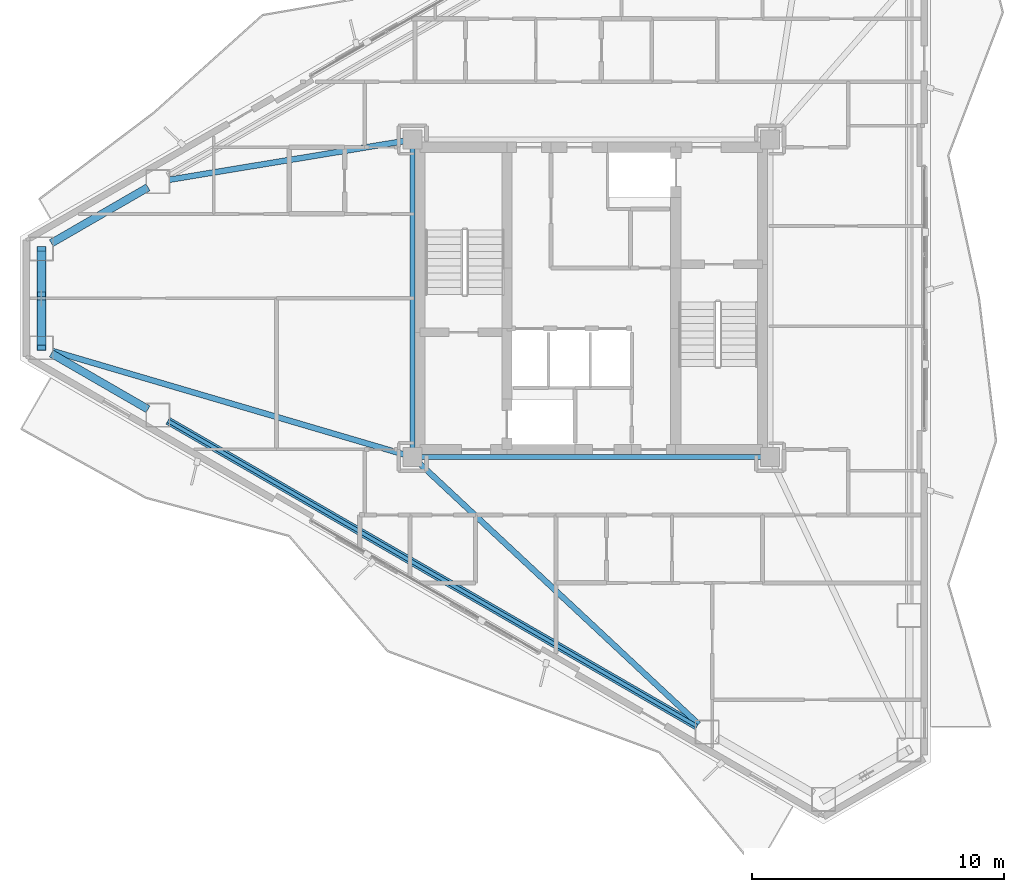
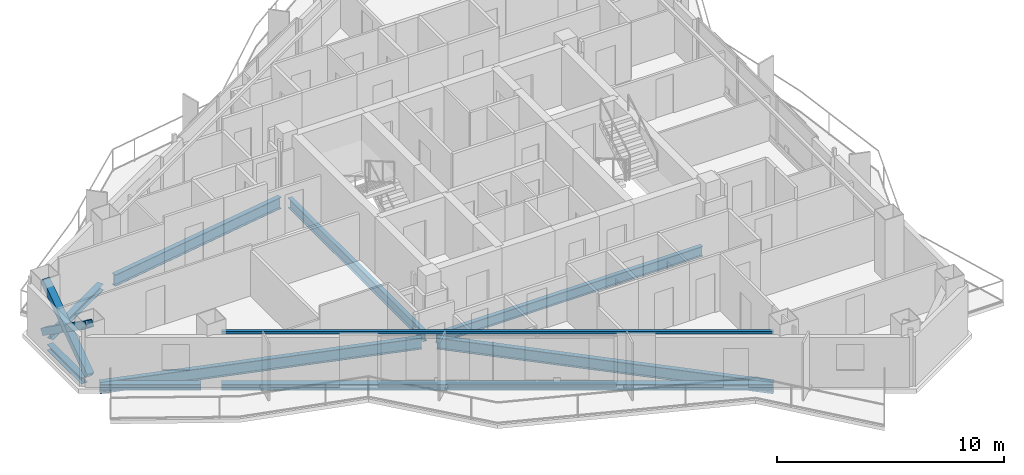
# One storey, part 4 of 18: 10 beams, 3 members.
"""IFC4 building model written with IfcOpenShell, lengths in metres."""

from ifc_helpers import new_model, si_unit, direction, frame, origin, origin_2d, place, context, subcontext, project, spatial, hollow_rectangle, i_section, extrude, material, material_profile, profile_set, type_object, element, save


model = new_model("IFC4")

# Units and contexts
model_context = context("Model", 3, precision=1e-05, world=origin(), true_north=direction((0.0, 1.0)))
body_context = subcontext(model_context, "Body", "Model", "MODEL_VIEW")
ifc_project = project(units=[si_unit("LENGTHUNIT", "METRE"), si_unit("AREAUNIT", "SQUARE_METRE"), si_unit("VOLUMEUNIT", "CUBIC_METRE"), si_unit("PLANEANGLEUNIT", "RADIAN"), si_unit("MASSUNIT", "GRAM", prefix="KILO")], contexts=[model_context])

# Site, building, storey
site_placement = place(None, origin())
site = spatial("IfcSite", under=ifc_project, at=site_placement, CompositionType="ELEMENT")
building_placement = place(site_placement, origin())
building = spatial("IfcBuilding", under=site, at=building_placement, Name="Mersakhor Tower and Convention Hall", CompositionType="ELEMENT")
storey_placement = place(building_placement, frame((0.0, 0.0, 134.39990234375)))
storey = spatial("IfcBuildingStorey", under=building, at=storey_placement, Name="L37", CompositionType="ELEMENT", Elevation=134.39990234375)

# Beams
ifc_material_1 = material(Name="Steel S355", Category="steel")
ifc_material_profile_1 = material_profile(ifc_material_1, i_section(OverallWidth=0.2099609375, OverallDepth=0.53662109375, WebThickness=0.0107421875, FlangeThickness=0.017333984375, at=origin_2d()), Name="UB 533x210x101")
ifc_profile_set_1 = profile_set([ifc_material_profile_1], Name="Steel S355")
beam_type_1 = type_object("IfcBeamType", Name="BM-FB-533", PredefinedType="BEAM", material=ifc_profile_set_1)
beam_1_placement = place(storey_placement, frame((21.89990234375, 20.804931640625, -0.50830078125), z_axis=(0.0, 1.0, 0.0), x_axis=(-1.0, 0.0, 0.0)))
element("IfcBeam", 1, at=beam_1_placement, inside=storey, type_object=beam_type_1, Name="L37 Core Ring Tie Beam CRB-1", PredefinedType="BEAM", context=body_context, shape_type="SweptSolid", body=[
    extrude(i_section(OverallWidth=0.2099609375, OverallDepth=0.53662109375, WebThickness=0.0107421875, FlangeThickness=0.017333984375, at=origin_2d()), origin(), (0.0, 0.0, 1.0), 11.89013671875),
])
beam_2_placement = place(storey_placement, frame((35.7451171875, 20.449951171875, -0.50830078125), z_axis=(-1.0, 0.0, 0.0), x_axis=(0.0, -1.0, 0.0)))
element("IfcBeam", 2, at=beam_2_placement, inside=storey, type_object=beam_type_1, Name="L37 Core Ring Tie Beam CRB-4", PredefinedType="BEAM", context=body_context, shape_type="SweptSolid", body=[
    extrude(i_section(OverallWidth=0.2099609375, OverallDepth=0.53662109375, WebThickness=0.0107421875, FlangeThickness=0.017333984375, at=origin_2d()), origin(), (0.0, 0.0, 1.0), 13.490234375),
])
ifc_material_2 = material(Name="Steel S355", Category="steel")
ifc_material_profile_2 = material_profile(ifc_material_2, hollow_rectangle(XDim=0.14990234375, YDim=0.14990234375, WallThickness=0.010009765625, at=origin_2d()), Name="SHS 150x150x10")
ifc_profile_set_2 = profile_set([ifc_material_profile_2], Name="Steel S355")
beam_type_2 = type_object("IfcBeamType", Name="BM-GRT-SHS150", PredefinedType="USERDEFINED", material=ifc_profile_set_2)
beam_3_placement = place(storey_placement, frame((33.198486328125, 9.754638671875, 2.47998046875), z_axis=(-0.866027433267, 0.499996484816, 0.0), x_axis=(-0.499996484816, -0.866027433267, 0.0)))
element("IfcBeam", 3, at=beam_3_placement, inside=storey, type_object=beam_type_2, Name="L37 Facade Support Girt GRT-F3", ObjectType="GIRT", PredefinedType="USERDEFINED", context=body_context, shape_type="SweptSolid", body=[
    extrude(hollow_rectangle(XDim=0.14990234375, YDim=0.14990234375, WallThickness=0.010009765625, at=origin_2d()), origin(), (0.0, 0.0, 1.0), 24.267333984375),
])
ifc_material_3 = material(Name="Steel S355", Category="steel")
ifc_material_profile_3 = material_profile(ifc_material_3, i_section(OverallWidth=0.22900390625, OverallDepth=0.6123046875, WebThickness=0.011962890625, FlangeThickness=0.01953125, at=origin_2d()), Name="UB 610x229x125")
ifc_profile_set_3 = profile_set([ifc_material_profile_3], Name="Steel S355")
beam_type_3 = type_object("IfcBeamType", Name="BM-PR-610", PredefinedType="BEAM", material=ifc_profile_set_3)
beam_4_placement = place(storey_placement, frame((21.5498046875, 32.9921875, -0.5458984375), z_axis=(-0.986703962282, -0.162527815515, 0.0), x_axis=(0.162527815515, -0.986703962282, 0.0)))
element("IfcBeam", 4, at=beam_4_placement, inside=storey, type_object=beam_type_3, Name="L37 Primary Floor Girder FG-1", PredefinedType="BEAM", context=body_context, shape_type="SweptSolid", body=[
    extrude(i_section(OverallWidth=0.22900390625, OverallDepth=0.6123046875, WebThickness=0.011962890625, FlangeThickness=0.01953125, at=origin_2d()), origin(), (0.0, 0.0, 1.0), 9.43798828125),
])
beam_5_placement = place(storey_placement, frame((22.159423828125, 20.207763671875, -0.5458984375), z_axis=(0.730740936679, -0.682654878736, 0.0), x_axis=(0.682654878736, 0.730740936679, 0.0)))
element("IfcBeam", 5, at=beam_5_placement, inside=storey, type_object=beam_type_3, Name="L37 Primary Floor Girder FG-5", PredefinedType="BEAM", context=body_context, shape_type="SweptSolid", body=[
    extrude(i_section(OverallWidth=0.22900390625, OverallDepth=0.6123046875, WebThickness=0.011962890625, FlangeThickness=0.01953125, at=origin_2d()), origin(), (0.0, 0.0, 1.0), 15.19091796875),
])
beam_6_placement = place(storey_placement, frame((21.559326171875, 20.55029296875, -0.5458984375), z_axis=(-0.959324090351, 0.282307083992, 0.0), x_axis=(-0.282307083992, -0.959324090351, 0.0)))
element("IfcBeam", 6, at=beam_6_placement, inside=storey, type_object=beam_type_3, Name="L37 Primary Floor Girder FG-6", PredefinedType="BEAM", context=body_context, shape_type="SweptSolid", body=[
    extrude(i_section(OverallWidth=0.22900390625, OverallDepth=0.6123046875, WebThickness=0.011962890625, FlangeThickness=0.01953125, at=origin_2d()), origin(), (0.0, 0.0, 1.0), 14.5546875),
])
ifc_material_4 = material(Name="Steel S355", Category="steel")
ifc_material_profile_4 = material_profile(ifc_material_4, i_section(OverallWidth=0.30908203125, OverallDepth=0.320556640625, WebThickness=0.013916015625, FlangeThickness=0.021728515625, at=origin_2d()), Name="UC 305x305x137")
ifc_profile_set_4 = profile_set([ifc_material_profile_4], Name="Steel S355")
beam_type_4 = type_object("IfcBeamType", Name="BM-SPD-UC305", PredefinedType="SPANDREL", material=ifc_profile_set_4)
beam_7_placement = place(storey_placement, frame((7.55419921875, 28.939697265625, -0.400146484375), z_axis=(0.866028798401, 0.499994120305, 0.0), x_axis=(-0.499994120305, 0.866028798401, 0.0)))
element("IfcBeam", 7, at=beam_7_placement, inside=storey, type_object=beam_type_4, Name="L37 Perimeter Spandrel Beam SPB-01", PredefinedType="SPANDREL", context=body_context, shape_type="SweptSolid", body=[
    extrude(i_section(OverallWidth=0.30908203125, OverallDepth=0.320556640625, WebThickness=0.013916015625, FlangeThickness=0.021728515625, at=origin_2d()), origin(), (0.0, 0.0, 1.0), 4.43408203125),
])
beam_8_placement = place(storey_placement, frame((33.198486328125, 9.754638671875, -0.400146484375), z_axis=(-0.866027433267, 0.499996484816, 0.0), x_axis=(-0.499996484816, -0.866027433267, 0.0)))
element("IfcBeam", 8, at=beam_8_placement, inside=storey, type_object=beam_type_4, Name="L37 Perimeter Spandrel Beam SPB-10", PredefinedType="SPANDREL", context=body_context, shape_type="SweptSolid", body=[
    extrude(i_section(OverallWidth=0.30908203125, OverallDepth=0.320556640625, WebThickness=0.013916015625, FlangeThickness=0.021728515625, at=origin_2d()), origin(), (0.0, 0.0, 1.0), 24.267333984375),
])
beam_9_placement = place(storey_placement, frame((11.394287109375, 22.34326171875, -0.400146484375), z_axis=(-0.866028798401, 0.499994120305, 0.0), x_axis=(-0.499994120305, -0.866028798401, 0.0)))
element("IfcBeam", 9, at=beam_9_placement, inside=storey, type_object=beam_type_4, Name="L37 Perimeter Spandrel Beam SPB-11", PredefinedType="SPANDREL", context=body_context, shape_type="SweptSolid", body=[
    extrude(i_section(OverallWidth=0.30908203125, OverallDepth=0.320556640625, WebThickness=0.013916015625, FlangeThickness=0.021728515625, at=origin_2d()), origin(), (0.0, 0.0, 1.0), 4.43408203125),
])
beam_10_placement = place(storey_placement, frame((7.160400390625, 25.24267578125, -0.400146484375), z_axis=(0.0, 1.0, 0.0), x_axis=(-1.0, 0.0, 0.0)))
element("IfcBeam", 10, at=beam_10_placement, inside=storey, type_object=beam_type_4, Name="L37 Perimeter Spandrel Beam SPB-12", PredefinedType="SPANDREL", context=body_context, shape_type="SweptSolid", body=[
    extrude(i_section(OverallWidth=0.30908203125, OverallDepth=0.320556640625, WebThickness=0.013916015625, FlangeThickness=0.021728515625, at=origin_2d()), origin(), (0.0, 0.0, 1.0), 3.0146484375),
])

# Members
ifc_material_5 = material(Name="Steel S460", Category="steel")
ifc_material_profile_5 = material_profile(ifc_material_5, hollow_rectangle(XDim=0.35009765625, YDim=0.35009765625, WallThickness=0.02001953125, at=origin_2d()), Name="SHS 350x350x20")
ifc_profile_set_5 = profile_set([ifc_material_profile_5], Name="Steel S460")
member_type = type_object("IfcMemberType", Name="MB-BRC-SHS350", PredefinedType="BRACE", material=ifc_profile_set_5)
member_placement = place(storey_placement, frame((7.160400390625, 24.78759765625, 0.150146484375), z_axis=(0.0, 0.817991748952, 0.575229952843), x_axis=(-1.0, 0.0, 0.0)))
element("IfcMember", 11, at=member_placement, inside=storey, type_object=member_type, Name="L37 Chamfer Braced Frame Diagonal CB-3A", PredefinedType="BRACE", context=body_context, shape_type="SweptSolid", body=[
    extrude(hollow_rectangle(XDim=0.35009765625, YDim=0.35009765625, WallThickness=0.02001953125, at=origin_2d()), origin(), (0.0, 0.0, 1.0), 4.798095703125),
])
for number, where, z_axis, x_axis, name in (
    (12, (7.160400390625, 28.71240234375, 0.150146484375), (0.0, -0.818012878097, 0.575199905483), (1.0, 0.0, 0.0), "L37 Chamfer Braced Frame Diagonal CB-3B Lower Half"),
    (13, (7.160400390625, 26.59130859375, 1.6416015625), (0.0, -0.817960781121, 0.575273987372), (1.0, 0.0, 0.0), "L37 Chamfer Braced Frame Diagonal CB-3B Upper Half"),
):
    element("IfcMember", number, at=place(storey_placement, frame(where, z_axis=z_axis, x_axis=x_axis)), inside=storey, type_object=member_type, Name=name, PredefinedType="BRACE", context=body_context, shape_type="SweptSolid", body=[
        extrude(hollow_rectangle(XDim=0.35009765625, YDim=0.35009765625, WallThickness=0.02001953125, at=origin_2d()), origin(), (0.0, 0.0, 1.0), 2.205078125),
    ])

save(model, "model.ifc")
